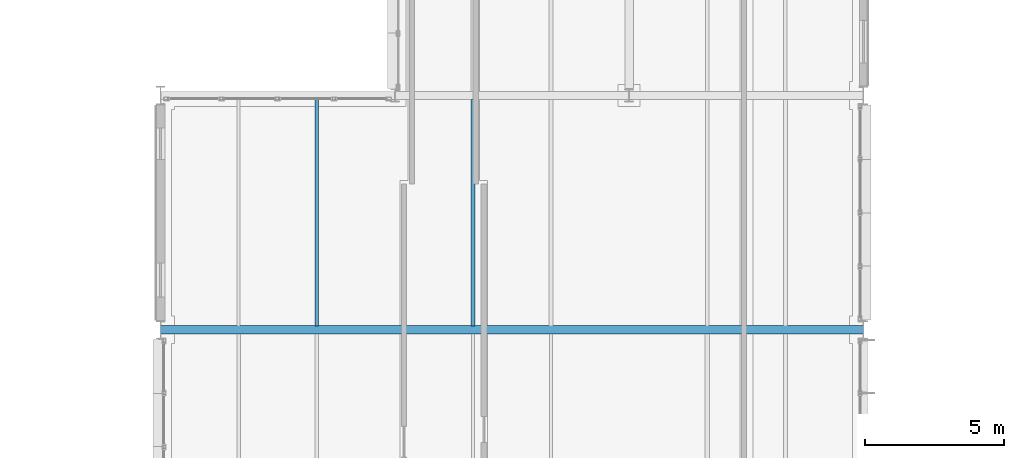
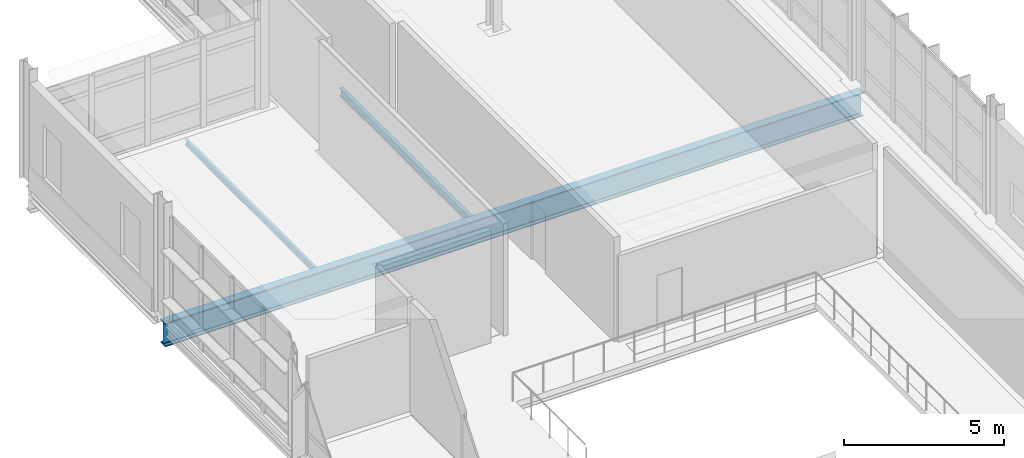
# One storey, part 48 of 129: 3 beams.
"""IFC4 building model written with IfcOpenShell, lengths in metres."""

from ifc_helpers import new_model, si_unit, direction, frame, origin, origin_2d, place, context, subcontext, project, spatial, i_section, extrude, material, material_profile, profile_set, type_object, element, save


model = new_model("IFC4")

# Units and contexts
model_context = context("Model", 3, precision=1e-05, world=origin(), true_north=direction((0.0, 1.0)))
body_context = subcontext(model_context, "Body", "Model", "MODEL_VIEW")
ifc_project = project(units=[si_unit("LENGTHUNIT", "METRE"), si_unit("AREAUNIT", "SQUARE_METRE"), si_unit("VOLUMEUNIT", "CUBIC_METRE"), si_unit("PLANEANGLEUNIT", "RADIAN"), si_unit("MASSUNIT", "GRAM", prefix="KILO")], contexts=[model_context])

# Site, building, storey
site_placement = place(None, origin())
site = spatial("IfcSite", under=ifc_project, at=site_placement, CompositionType="ELEMENT")
building_placement = place(site_placement, origin())
building = spatial("IfcBuilding", under=site, at=building_placement, Name="Mersafa Astral City Hall", CompositionType="ELEMENT")
storey_placement = place(building_placement, frame((0.0, 0.0, 5.39990234375)))
storey = spatial("IfcBuildingStorey", under=building, at=storey_placement, Name="L01", CompositionType="ELEMENT", Elevation=5.39990234375)

# Beams
ifc_material = material(Name="Steel S355", Category="steel")
ifc_material_profile_1 = material_profile(ifc_material, i_section(OverallWidth=0.300048828125, OverallDepth=0.89990234375, WebThickness=0.0185546875, FlangeThickness=0.034912109375, FilletRadius=0.030029296875, at=origin_2d()), Name="HEB 900")
ifc_profile_set_1 = profile_set([ifc_material_profile_1], Name="Steel S355")
beam_type_1 = type_object("IfcBeamType", Name="STR-BM-HEB900", PredefinedType="BEAM", material=ifc_profile_set_1)
beam_1_placement = place(storey_placement, frame((92.403076171875, 84.0, -0.6748046875), z_axis=(1.0, 0.0, 0.0), x_axis=(0.0, 1.0, 0.0)))
element("IfcBeam", 1, at=beam_1_placement, inside=storey, type_object=beam_type_1, Name="L01 Public Service Hall clear-span portal girder 10", PredefinedType="BEAM", context=body_context, shape_type="SweptSolid", body=[
    extrude(i_section(OverallWidth=0.300048828125, OverallDepth=0.89990234375, WebThickness=0.0185546875, FlangeThickness=0.034912109375, FilletRadius=0.030029296875, at=origin_2d()), origin(), (0.0, 0.0, 1.0), 25.19384765625),
])
ifc_material_profile_2 = material_profile(ifc_material, i_section(OverallWidth=0.110107421875, OverallDepth=0.219970703125, WebThickness=0.005859375, FlangeThickness=0.00927734375, FilletRadius=0.011962890625, at=origin_2d()), Name="IPE 220")
ifc_profile_set_2 = profile_set([ifc_material_profile_2], Name="Steel S355")
beam_type_2 = type_object("IfcBeamType", Name="STR-BM-JOIST-IPE220", PredefinedType="JOIST", material=ifc_profile_set_2)
beam_2_placement = place(storey_placement, frame((98.0, 84.14501953125, -0.3349609375), z_axis=(0.0, 1.0, 0.0), x_axis=(-1.0, 0.0, 0.0)))
element("IfcBeam", 2, at=beam_2_placement, inside=storey, type_object=beam_type_2, Name="L01 Composite secondary floor joist 283", PredefinedType="JOIST", context=body_context, shape_type="SweptSolid", body=[
    extrude(i_section(OverallWidth=0.110107421875, OverallDepth=0.219970703125, WebThickness=0.005859375, FlangeThickness=0.00927734375, FilletRadius=0.011962890625, at=origin_2d()), origin(), (0.0, 0.0, 1.0), 8.10986328125),
])
ifc_material_profile_3 = material_profile(ifc_material, i_section(OverallWidth=0.14990234375, OverallDepth=0.300048828125, WebThickness=0.007080078125, FlangeThickness=0.0107421875, FilletRadius=0.014892578125, at=origin_2d()), Name="IPE 300")
ifc_profile_set_3 = profile_set([ifc_material_profile_3], Name="Steel S355")
beam_type_3 = type_object("IfcBeamType", Name="STR-BM-JOIST-IPE300", PredefinedType="JOIST", material=ifc_profile_set_3)
beam_3_placement = place(storey_placement, frame((103.60009765625, 84.14501953125, -0.375), z_axis=(0.0, 1.0, 0.0), x_axis=(-1.0, 0.0, 0.0)))
element("IfcBeam", 3, at=beam_3_placement, inside=storey, type_object=beam_type_3, Name="L01 Composite secondary floor joist 296", PredefinedType="JOIST", context=body_context, shape_type="SweptSolid", body=[
    extrude(i_section(OverallWidth=0.14990234375, OverallDepth=0.300048828125, WebThickness=0.007080078125, FlangeThickness=0.0107421875, FilletRadius=0.014892578125, at=origin_2d()), origin(), (0.0, 0.0, 1.0), 8.10986328125),
])

save(model, "model.ifc")
